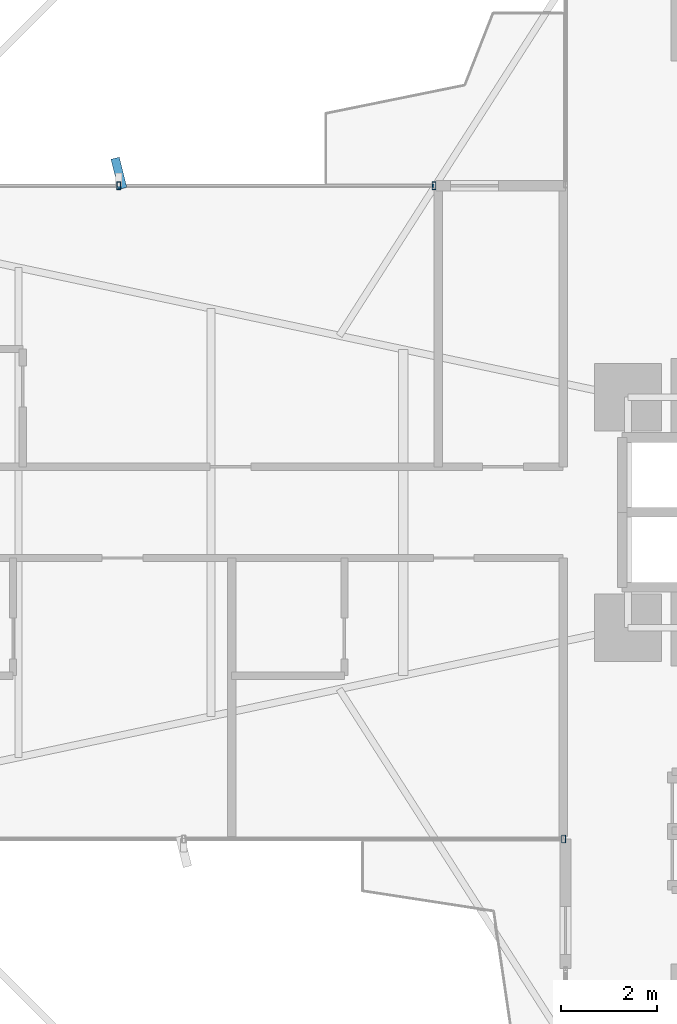
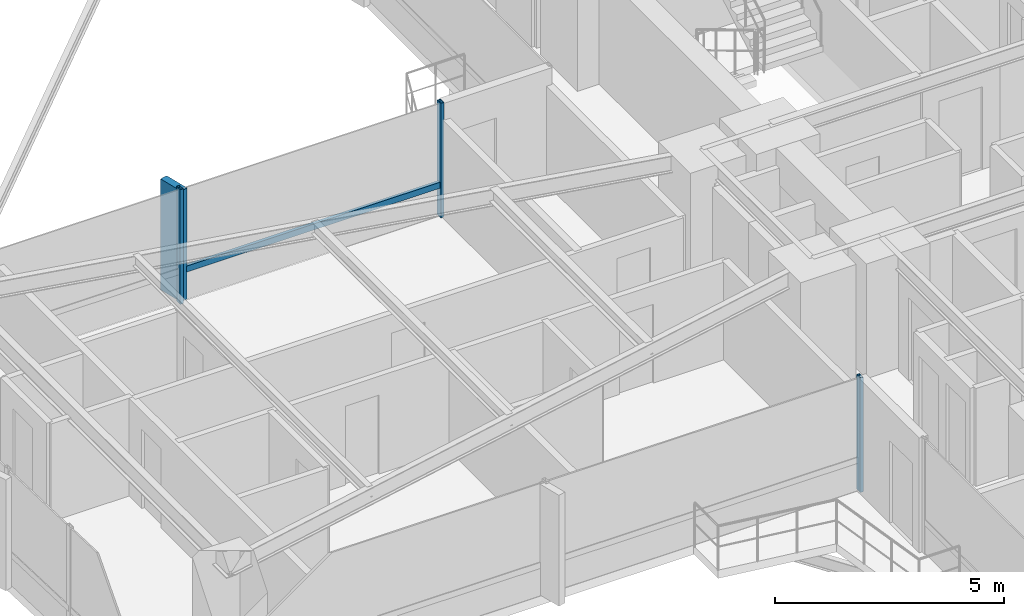
# One storey, part 10 of 26: 5 members, 2 elements without a shape of their own.
"""IFC4 building model written with IfcOpenShell, lengths in metres."""

from ifc_helpers import new_model, si_unit, direction, frame, origin, origin_2d, place, context, subcontext, project, spatial, rectangle, hollow_rectangle, extrude, source, transform, mapped, material, material_profile, profile_set, type_object, element, aggregate, save


model = new_model("IFC4")

# Units and contexts
model_context = context("Model", 3, precision=1e-05, world=origin(), true_north=direction((0.0, 1.0)))
body_context = subcontext(model_context, "Body", "Model", "MODEL_VIEW")
ifc_project = project(units=[si_unit("LENGTHUNIT", "METRE"), si_unit("AREAUNIT", "SQUARE_METRE"), si_unit("VOLUMEUNIT", "CUBIC_METRE"), si_unit("PLANEANGLEUNIT", "RADIAN"), si_unit("MASSUNIT", "GRAM", prefix="KILO")], contexts=[model_context])

# Site, building, storey
site_placement = place(None, origin())
site = spatial("IfcSite", under=ifc_project, at=site_placement, CompositionType="ELEMENT")
building_placement = place(site_placement, origin())
building = spatial("IfcBuilding", under=site, at=building_placement, Name="Sahyath Konkavel Grand Hotel", CompositionType="ELEMENT")
storey_placement = place(building_placement, frame((0.0, 0.0, 43.199951171875)))
storey = spatial("IfcBuildingStorey", under=building, at=storey_placement, Name="L11", CompositionType="ELEMENT", Elevation=43.199951171875)

# Curtain wall, members
ifc_material_1 = material(Name="Anodised Bronze Aluminium & Low-E Glazing", Category="aluminium")
curtain_wall_type = type_object("IfcCurtainWallType", Name="CW-ZONE1", PredefinedType="NOTDEFINED", material=ifc_material_1)
curtain_wall_1_placement = place(storey_placement, origin())
curtain_wall_1 = element("IfcCurtainWall", 1, at=curtain_wall_1_placement, inside=storey, type_object=curtain_wall_type, Name="L11 Unitised Curtain Wall F16", PredefinedType="NOTDEFINED")
ifc_material_2 = material(Name="Anodised Bronze Aluminium", Category="aluminium")
ifc_material_profile_1 = material_profile(ifc_material_2, hollow_rectangle(XDim=0.080078125, YDim=0.159912109375, WallThickness=0.006103515625, at=origin_2d()), Name="RHS 160x80x6")
ifc_profile_set_1 = profile_set([ifc_material_profile_1], Name="Anodised Bronze Aluminium")
member_type_1 = type_object("IfcMemberType", Name="CW-TRN-160", PredefinedType="USERDEFINED", material=ifc_profile_set_1)
shared_shape_1 = source(origin(), body_context, "Body", "SweptSolid", [
    extrude(hollow_rectangle(XDim=0.080078125, YDim=0.159912109375, WallThickness=0.006103515625, at=origin_2d()), origin(), (0.0, 0.0, 1.0), 6.56005859375),
])
member_1_placement = place(storey_placement, frame((-9.5400390625, 6.800048828125, 0.85009765625), z_axis=(-1.0, 0.0, 0.0), x_axis=(0.0, -1.0, 0.0)))
member_1 = element("IfcMember", 2, at=member_1_placement, type_object=member_type_1, Name="L11 Curtain Wall Transom F16-0-spandrel", ObjectType="TRANSOM", PredefinedType="USERDEFINED", context=body_context, shape_type="MappedRepresentation", body=[
    mapped(shared_shape_1, transform((0.0, 0.0, 0.0), scale=1.0)),
])
ifc_material_profile_2 = material_profile(ifc_material_2, hollow_rectangle(XDim=0.080078125, YDim=0.159912109375, WallThickness=0.006103515625, at=origin_2d()), Name="RHS 160x80x6")
ifc_profile_set_2 = profile_set([ifc_material_profile_2], Name="Anodised Bronze Aluminium")
member_type_2 = type_object("IfcMemberType", Name="CW-MUL-160", PredefinedType="MULLION", material=ifc_profile_set_2)
shared_shape_2 = source(origin(), body_context, "Body", "SweptSolid", [
    extrude(hollow_rectangle(XDim=0.080078125, YDim=0.159912109375, WallThickness=0.006103515625, at=origin_2d()), origin(), (0.0, 0.0, 1.0), 3.050048828125),
])
member_2_placement = place(storey_placement, frame((-9.5400390625, 6.800048828125, 0.0), z_axis=(0.0, 0.0, 1.0), x_axis=(1.0, 0.0, 0.0)))
member_2 = element("IfcMember", 3, at=member_2_placement, type_object=member_type_2, Name="L11 Curtain Wall Mullion F16-0", PredefinedType="MULLION", context=body_context, shape_type="MappedRepresentation", body=[
    mapped(shared_shape_2, transform((0.0, 0.0, 0.0), scale=1.0)),
])
member_3_placement = place(storey_placement, frame((-16.10009765625, 6.800048828125, 0.0), z_axis=(0.0, 0.0, 1.0), x_axis=(1.0, 0.0, 0.0)))
member_3 = element("IfcMember", 4, at=member_3_placement, type_object=member_type_2, Name="L11 Curtain Wall Mullion F16-1", PredefinedType="MULLION", context=body_context, shape_type="MappedRepresentation", body=[
    mapped(shared_shape_2, transform((0.0, 0.0, 0.0), scale=1.0)),
])

# Curtain wall, member
curtain_wall_2_placement = place(storey_placement, origin())
curtain_wall_2 = element("IfcCurtainWall", 5, at=curtain_wall_2_placement, inside=storey, type_object=curtain_wall_type, Name="L11 Unitised Curtain Wall F23", PredefinedType="NOTDEFINED")
member_4_placement = place(storey_placement, frame((-6.840087890625, -6.800048828125, 0.0), z_axis=(0.0, 0.0, 1.0), x_axis=(1.0, 0.0, 0.0)))
member_4 = element("IfcMember", 6, at=member_4_placement, type_object=member_type_2, Name="L11 Curtain Wall Mullion F23-2", PredefinedType="MULLION", context=body_context, shape_type="MappedRepresentation", body=[
    mapped(shared_shape_2, transform((0.0, 0.0, 0.0), scale=1.0)),
])
aggregate(curtain_wall_2, [member_4])

# Member
ifc_material_3 = material(Name="Warm Buff Sandstone Cladding on Concrete C50/60", Category="masonry")
ifc_material_profile_3 = material_profile(ifc_material_3, rectangle(XDim=0.179931640625, YDim=0.64990234375, at=origin_2d()), Name="FIN 180x650")
ifc_profile_set_3 = profile_set([ifc_material_profile_3], Name="Warm Buff Sandstone Cladding on Concrete C50/60")
member_type_3 = type_object("IfcMemberType", Name="FIN-SANDSTONE-650", PredefinedType="MULLION", material=ifc_profile_set_3)
shared_shape_3 = source(origin(), body_context, "Body", "SweptSolid", [
    extrude(rectangle(XDim=0.179931640625, YDim=0.64990234375, at=origin_2d()), origin(), (0.0, 0.0, 1.0), 2.949951171875),
])
member_5_placement = place(storey_placement, frame((-16.10009765625, 7.06005859375, 0.050048828125), z_axis=(0.0, 0.0, 1.0), x_axis=(0.970842131618, 0.239719743609, 0.0)))
member_5 = element("IfcMember", 7, at=member_5_placement, type_object=member_type_3, Name="L11 Sandstone Vertical Solar Fin FIN F16-1", PredefinedType="MULLION", context=body_context, shape_type="MappedRepresentation", body=[
    mapped(shared_shape_3, transform((0.0, 0.0, 0.0), scale=1.0)),
])

aggregate(curtain_wall_1, [member_2, member_3, member_5, member_1])

save(model, "model.ifc")
